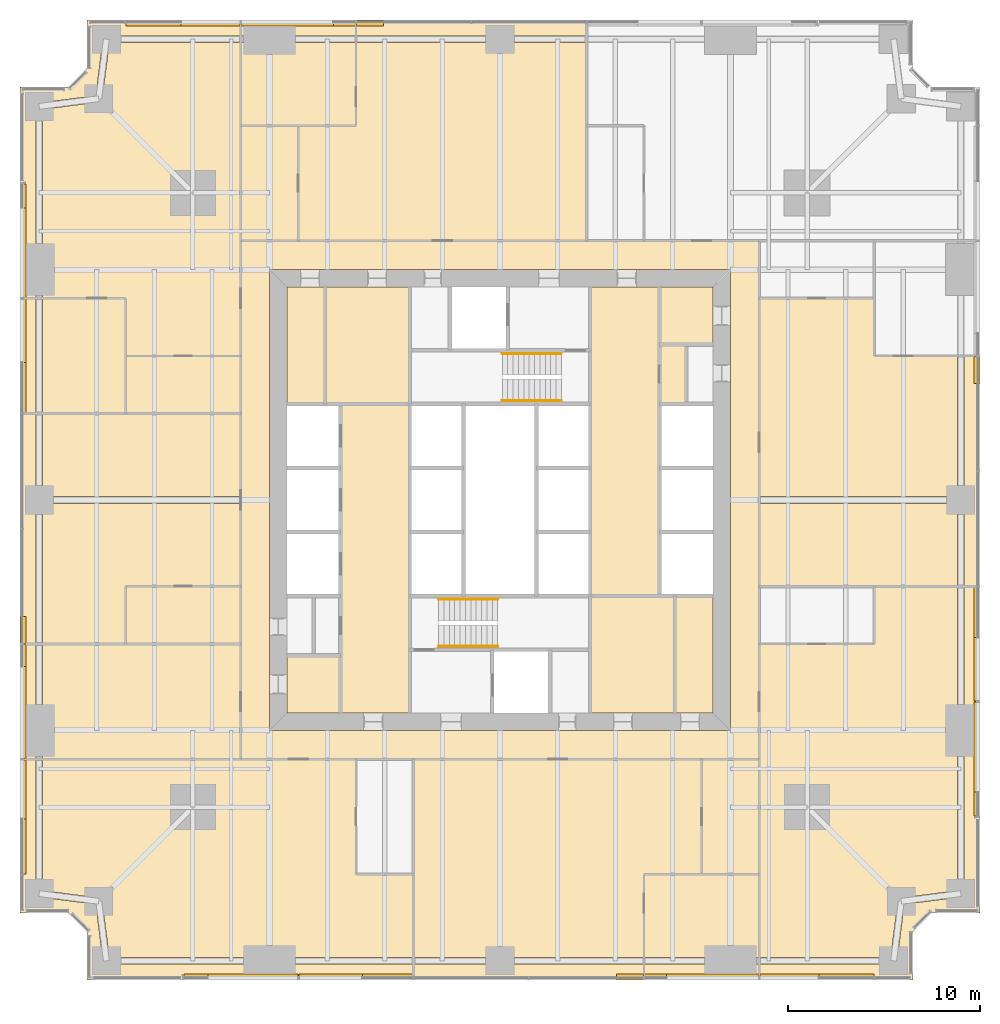
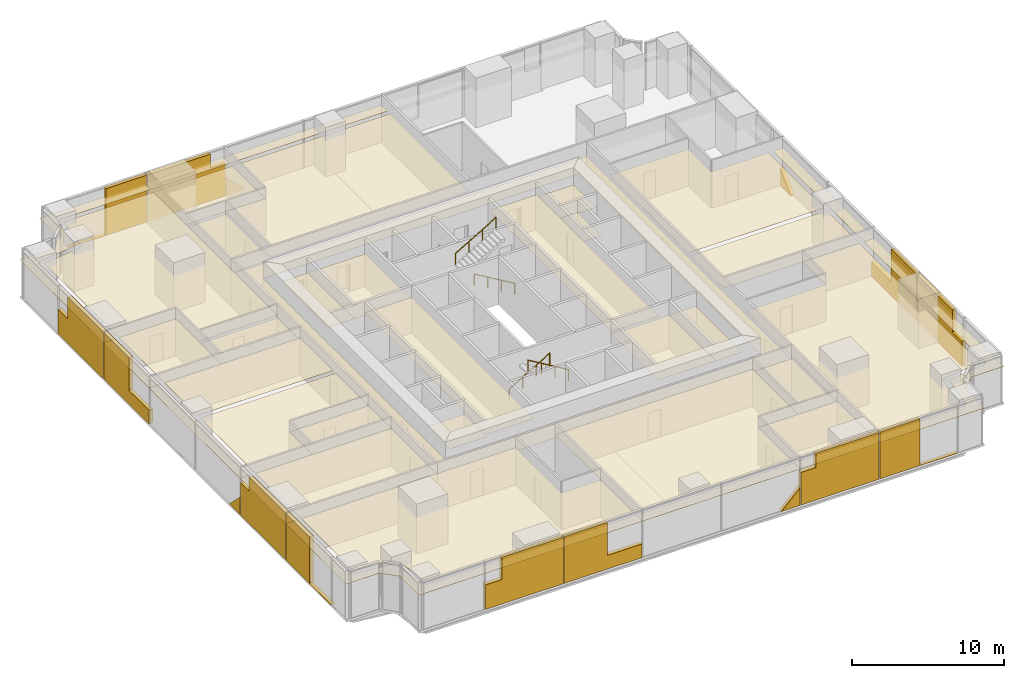
# One storey, part 12 of 15: 54 coverings, 4 railings.
"""IFC4 building model written with IfcOpenShell, lengths in metres."""

import ifcopenshell
import ifcopenshell.guid

model = None  # the IFC model being written
_history = None  # IfcOwnerHistory: only IFC2X3 demands one
_inside = {}  # id of a spatial element -> (the spatial element, [elements in it])
_under = {}  # id of a project, library or spatial element -> (it, [spatial elements below it])
_declared = {}  # id of a project -> (the project, [libraries it declares])
_typed = {}  # id of a type object -> (the type object, [elements of that type])
_made_of = {}  # id of a material, layer set ... -> (it, [elements and type objects made of it])


def new_model(schema):
    """Start an empty IFC model of exactly this schema.

    Asked for "IFC4X3", IfcOpenShell would pick the latest addendum, in which some entities
    have other attributes; the version numbers below select the first issue.
    IFC2X3 requires an IfcOwnerHistory on every rooted entity: one is made here for all.
    """
    global model, _history
    if schema == "IFC4X3":
        model = ifcopenshell.file(schema_version=(4, 3, 0, 0))
    else:
        model = ifcopenshell.file(schema=schema)
    _inside.clear()
    _under.clear()
    _declared.clear()
    _typed.clear()
    _made_of.clear()
    _history = None
    if model.schema == "IFC2X3":
        org = make("IfcOrganization", Name="unknown")
        user = make(
            "IfcPersonAndOrganization",
            ThePerson=make("IfcPerson", FamilyName="unknown"),
            TheOrganization=org,
        )
        app = make(
            "IfcApplication",
            ApplicationDeveloper=org,
            Version="unknown",
            ApplicationFullName="unknown",
            ApplicationIdentifier="unknown",
        )
        _history = make(
            "IfcOwnerHistory",
            OwningUser=user,
            OwningApplication=app,
            ChangeAction="ADDED",
            CreationDate=0,
        )
    return model


def make(cls, **values):
    """One entity of the class cls with the attributes given. An attribute that is None is left unset."""
    return model.create_entity(
        cls, **{name: value for name, value in values.items() if value is not None}
    )


def rooted(cls, **values):
    """An entity with a GlobalId (a new one), such as an element, a storey or a relation."""
    return make(cls, GlobalId=ifcopenshell.guid.new(), OwnerHistory=_history, **values)


def si_unit(unit_type, name, prefix=None):
    """IfcSIUnit, for example si_unit("LENGTHUNIT", "METRE", prefix="MILLI")."""
    return make("IfcSIUnit", UnitType=unit_type, Prefix=prefix, Name=name)


def assignment(units):
    """IfcUnitAssignment: the units of a project."""
    return None if units is None else make("IfcUnitAssignment", Units=units)


def point(xyz):
    """IfcCartesianPoint."""
    return None if xyz is None else make("IfcCartesianPoint", Coordinates=xyz)


def direction(xyz):
    """IfcDirection."""
    return None if xyz is None else make("IfcDirection", DirectionRatios=xyz)


def frame(location, z_axis=None, x_axis=None):
    """IfcAxis2Placement3D, a coordinate frame: its origin and axes. An axis left out is left unset."""
    return make(
        "IfcAxis2Placement3D",
        Location=point(location),
        Axis=direction(z_axis),
        RefDirection=direction(x_axis),
    )


def frame_2d(location, x_axis=None):
    """IfcAxis2Placement2D, a coordinate frame in the plane: its origin and x axis."""
    return make(
        "IfcAxis2Placement2D", Location=point(location), RefDirection=direction(x_axis)
    )


def origin():
    """The frame at (0, 0, 0) with its axes left unset."""
    return frame((0.0, 0.0, 0.0))


def origin_2d():
    """The frame at (0, 0) in the plane with its x axis left unset."""
    return frame_2d((0.0, 0.0))


def place(relative_to, where):
    """IfcLocalPlacement: puts the frame where relative to a parent placement (None: the world)."""
    return make(
        "IfcLocalPlacement", PlacementRelTo=relative_to, RelativePlacement=where
    )


def context(
    kind, dimensions, precision=None, world=None, true_north=None, identifier=None
):
    """IfcGeometricRepresentationContext, for example the 3D "Model" context."""
    return make(
        "IfcGeometricRepresentationContext",
        ContextIdentifier=identifier,
        ContextType=kind,
        CoordinateSpaceDimension=dimensions,
        Precision=precision,
        WorldCoordinateSystem=world,
        TrueNorth=true_north,
    )


def subcontext(parent, identifier, kind, view, scale=None):
    """IfcGeometricRepresentationSubContext, for example "Body" below "Model"."""
    return make(
        "IfcGeometricRepresentationSubContext",
        ContextIdentifier=identifier,
        ContextType=kind,
        ParentContext=parent,
        TargetScale=scale,
        TargetView=view,
    )


def project(units=None, contexts=None):
    """IfcProject with its units and contexts."""
    return rooted(
        "IfcProject",
        Name="project",
        RepresentationContexts=contexts,
        UnitsInContext=assignment(units),
    )


def spatial(cls, under=None, at=None, **own):
    """A site, building, storey or space (cls), placed at a placement, below another one or the project."""
    s = rooted(cls, ObjectPlacement=at, **own)
    if under is not None:
        _under.setdefault(under.id(), (under, []))[1].append(s)
    return s


def polyline(points):
    """IfcPolyline through the points."""
    return make("IfcPolyline", Points=[point(p) for p in points])


def profile(cls, at=None, kind="AREA", **sizes):
    """A parametric profile (cls). Its sizes go by their IFC names, for example OverallWidth=200.0."""
    return make(cls, ProfileType=kind, Position=at, **sizes)


def circle(**sizes):
    """IfcCircleProfileDef."""
    return profile("IfcCircleProfileDef", **sizes)


def outline(outer, holes=None, kind="AREA"):
    """IfcArbitraryClosedProfileDef: a profile drawn as a closed curve; with holes, ...WithVoids."""
    if holes is None:
        return make("IfcArbitraryClosedProfileDef", ProfileType=kind, OuterCurve=outer)
    return make(
        "IfcArbitraryProfileDefWithVoids",
        ProfileType=kind,
        OuterCurve=outer,
        InnerCurves=holes,
    )


def extrude(swept, where, along, depth):
    """IfcExtrudedAreaSolid: the profile swept, set in the frame where, extruded along a direction by depth."""
    return make(
        "IfcExtrudedAreaSolid",
        SweptArea=swept,
        Position=where,
        ExtrudedDirection=direction(along),
        Depth=depth,
    )


def shape(context_of_items, identifier, shape_type, items):
    """IfcShapeRepresentation: the items that make up one representation, for example the "Body"."""
    return make(
        "IfcShapeRepresentation",
        ContextOfItems=context_of_items,
        RepresentationIdentifier=identifier,
        RepresentationType=shape_type,
        Items=items,
    )


def material(Name=None, Category=None):
    """IfcMaterial."""
    return make("IfcMaterial", Name=Name, Category=Category)


def layer(
    of_material, thickness, ventilated=None, Name=None, Category=None, Priority=None
):
    """IfcMaterialLayer: one layer of a wall or slab, of a material (None: an air gap)."""
    return make(
        "IfcMaterialLayer",
        Material=of_material,
        LayerThickness=thickness,
        IsVentilated=ventilated,
        Name=Name,
        Category=Category,
        Priority=Priority,
    )


def layer_set(layers, Name=None):
    """IfcMaterialLayerSet."""
    return make("IfcMaterialLayerSet", MaterialLayers=layers, LayerSetName=Name)


def made_of(thing, what):
    """Note that an element or type object is made of a material, layer set ...; save() writes the relation."""
    if what is not None:
        _made_of.setdefault(what.id(), (what, []))[1].append(thing)
    return thing


def type_object(cls, material=None, **own):
    """A type object (cls), such as IfcWallType, which elements share."""
    return made_of(rooted(cls, **own), material)


def element(
    cls,
    number,
    at=None,
    inside=None,
    cuts=None,
    type_object=None,
    material=None,
    context=None,
    identifier="Body",
    shape_type=None,
    held_by="IfcProductDefinitionShape",
    body=None,
    shapes=None,
    **own,
):
    """One element of the class cls, such as IfcWall. Its Tag is "e" and its number.

    at: its placement. inside: the storey or other place that contains it. cuts: it is an
    opening in that element (IfcRelVoidsElement). A single representation is given by context,
    identifier, shape_type and body (its items); several are given by shapes. held_by: the class
    of the entity that holds the representations. save() writes the other relations.
    """
    e = rooted(cls, Tag="e%d" % number, ObjectPlacement=at, **own)
    if body is not None:
        shapes = [shape(context, identifier, shape_type, body)]
    if shapes is not None:
        e.Representation = make(held_by, Representations=shapes)
    if inside is not None:
        _inside.setdefault(inside.id(), (inside, []))[1].append(e)
    if cuts is not None:
        rooted(
            "IfcRelVoidsElement", RelatingBuildingElement=cuts, RelatedOpeningElement=e
        )
    if type_object is not None:
        _typed.setdefault(type_object.id(), (type_object, []))[1].append(e)
    return made_of(e, material)


def aggregate(whole, parts):
    """IfcRelAggregates: a whole, such as a stair, and the parts it consists of."""
    return rooted("IfcRelAggregates", RelatingObject=whole, RelatedObjects=parts)


def save(model, path):
    """Write the relations noted so far, then the file.

    IfcRelAggregates (storeys below a building ...), IfcRelContainedInSpatialStructure (elements
    in a storey), IfcRelDefinesByType, IfcRelAssociatesMaterial and IfcRelDeclares: one each for
    every whole, place, type object, material and project.
    """
    for whole, parts in _under.values():
        aggregate(whole, parts)
    for where, things in _inside.values():
        rooted(
            "IfcRelContainedInSpatialStructure",
            RelatedElements=things,
            RelatingStructure=where,
        )
    for kind, things in _typed.values():
        rooted("IfcRelDefinesByType", RelatedObjects=things, RelatingType=kind)
    for what, things in _made_of.values():
        rooted("IfcRelAssociatesMaterial", RelatedObjects=things, RelatingMaterial=what)
    for by, libraries in _declared.values():
        rooted("IfcRelDeclares", RelatingContext=by, RelatedDefinitions=libraries)
    model.write(path)


model = new_model("IFC4")

# Units and contexts
model_context = context("Model", 3, precision=1e-05, world=origin(), true_north=direction((0.0, 1.0)))
body_context = subcontext(model_context, "Body", "Model", "MODEL_VIEW")
ifc_project = project(units=[si_unit("LENGTHUNIT", "METRE"), si_unit("AREAUNIT", "SQUARE_METRE"), si_unit("VOLUMEUNIT", "CUBIC_METRE"), si_unit("PLANEANGLEUNIT", "RADIAN"), si_unit("MASSUNIT", "GRAM", prefix="KILO")], contexts=[model_context])

# Site, building, storey
site_placement = place(None, origin())
site = spatial("IfcSite", under=ifc_project, at=site_placement, CompositionType="ELEMENT")
building_placement = place(site_placement, origin())
building = spatial("IfcBuilding", under=site, at=building_placement, Name="Fenwick Lantern Interchange", CompositionType="ELEMENT")
storey_placement = place(building_placement, frame((0.0, 0.0, 51.0)))
storey = spatial("IfcBuildingStorey", under=building, at=storey_placement, Name="L11", CompositionType="ELEMENT", Elevation=51.0)

# Coverings
ifc_material_1 = material(Name="Mineral fibre acoustic tile on suspended grid")
ifc_layer_1 = layer(ifc_material_1, 0.02001953125)
ifc_layer_set_1 = layer_set([ifc_layer_1], Name="ACOUSTIC TILE CEILING 20")
covering_type_1 = type_object("IfcCoveringType", Name="ACOUSTIC TILE CEILING 20", PredefinedType="CEILING", material=ifc_layer_set_1)
covering_1_placement = place(storey_placement, frame((0.0, 0.0, 2.699951171875)))
element("IfcCovering", 1, at=covering_1_placement, inside=storey, type_object=covering_type_1, Name="Print and copy room ceiling", PredefinedType="CEILING", context=body_context, shape_type="SweptSolid", body=[
    extrude(outline(polyline([(34.699951171875, 33.10009765625), (33.300048828125, 33.10009765625), (33.300048828125, 30.0), (34.699951171875, 30.0), (34.699951171875, 33.10009765625)])), origin(), (0.0, 0.0, 1.0), 0.02001953125),
])
covering_2_placement = place(storey_placement, frame((0.0, 0.0, 2.89990234375)))
element("IfcCovering", 2, at=covering_2_placement, inside=storey, type_object=covering_type_1, Name="Office suite ceiling", PredefinedType="CEILING", context=body_context, shape_type="SweptSolid", body=[
    extrude(outline(polyline([(20.5, 1.17236328125), (20.5, 5.5), (17.5, 5.5), (17.5, 11.5), (1.17236328125, 11.5), (1.17236328125, 4.651611328125), (4.1220703125, 4.27099609375), (4.10009765625, 4.10009765625), (4.27099609375, 4.1220703125), (4.651611328125, 1.17236328125), (13.0, 1.17236328125), (20.5, 1.17236328125)])), origin(), (0.0, 0.0, 1.0), 0.02001953125),
])
covering_3_placement = place(storey_placement, frame((0.0, 0.0, 2.89990234375)))
element("IfcCovering", 3, at=covering_3_placement, inside=storey, type_object=covering_type_1, Name="Office suite ceiling", PredefinedType="CEILING", context=body_context, shape_type="SweptSolid", body=[
    extrude(outline(polyline([(20.5, 0.0), (20.5, 0.82763671875), (13.0, 0.82763671875), (4.5, 0.82763671875), (4.5, 1.0), (4.3291015625, 0.97802734375), (3.946044921875, 3.946044921875), (0.97802734375, 4.3291015625), (1.0, 4.5), (0.82763671875, 4.5), (0.82763671875, 11.5), (0.0, 11.5), (0.0, 3.5), (2.5, 3.5), (3.5, 2.5), (3.5, 0.0), (20.5, 0.0)])), origin(), (0.0, 0.0, 1.0), 0.02001953125),
])
covering_4_placement = place(storey_placement, frame((0.0, 0.0, 2.89990234375)))
element("IfcCovering", 4, at=covering_4_placement, inside=storey, type_object=covering_type_1, Name="Office suite ceiling", PredefinedType="CEILING", context=body_context, shape_type="SweptSolid", body=[
    extrude(outline(polyline([(20.5, 11.5), (20.5, 1.17236328125), (25.0, 1.17236328125), (32.5, 1.17236328125), (32.5, 5.5), (35.5, 5.5), (35.5, 11.5), (20.5, 11.5)])), origin(), (0.0, 0.0, 1.0), 0.02001953125),
])
covering_5_placement = place(storey_placement, frame((0.0, 0.0, 2.89990234375)))
element("IfcCovering", 5, at=covering_5_placement, inside=storey, type_object=covering_type_1, Name="Office suite ceiling", PredefinedType="CEILING", context=body_context, shape_type="SweptSolid", body=[
    extrude(outline(polyline([(20.5, 0.82763671875), (20.5, 0.0), (32.5, 0.0), (32.5, 0.82763671875), (25.0, 0.82763671875), (20.5, 0.82763671875)])), origin(), (0.0, 0.0, 1.0), 0.02001953125),
])
covering_6_placement = place(storey_placement, frame((0.0, 0.0, 2.89990234375)))
element("IfcCovering", 6, at=covering_6_placement, inside=storey, type_object=covering_type_1, Name="Meeting room ceiling", PredefinedType="CEILING", context=body_context, shape_type="SweptSolid", body=[
    extrude(outline(polyline([(32.5, 5.5), (32.5, 1.17236328125), (37.0, 1.17236328125), (38.5, 1.17236328125), (38.5, 5.5), (32.5, 5.5)])), origin(), (0.0, 0.0, 1.0), 0.02001953125),
])
covering_7_placement = place(storey_placement, frame((0.0, 0.0, 2.89990234375)))
element("IfcCovering", 7, at=covering_7_placement, inside=storey, type_object=covering_type_1, Name="Meeting room ceiling", PredefinedType="CEILING", context=body_context, shape_type="SweptSolid", body=[
    extrude(outline(polyline([(38.5, 0.0), (38.5, 0.82763671875), (37.0, 0.82763671875), (32.5, 0.82763671875), (32.5, 0.0), (38.5, 0.0)])), origin(), (0.0, 0.0, 1.0), 0.02001953125),
])
covering_8_placement = place(storey_placement, frame((0.0, 0.0, 2.89990234375)))
element("IfcCovering", 8, at=covering_8_placement, inside=storey, type_object=covering_type_1, Name="Office suite ceiling", PredefinedType="CEILING", context=body_context, shape_type="SweptSolid", body=[
    extrude(outline(polyline([(48.82763671875, 20.5), (44.5, 20.5), (44.5, 17.5), (38.5, 17.5), (38.5, 1.17236328125), (45.348388671875, 1.17236328125), (45.72900390625, 4.1220703125), (45.89990234375, 4.10009765625), (45.8779296875, 4.27099609375), (48.82763671875, 4.651611328125), (48.82763671875, 13.0), (48.82763671875, 20.5)])), origin(), (0.0, 0.0, 1.0), 0.02001953125),
])
covering_9_placement = place(storey_placement, frame((0.0, 0.0, 2.89990234375)))
element("IfcCovering", 9, at=covering_9_placement, inside=storey, type_object=covering_type_1, Name="Office suite ceiling", PredefinedType="CEILING", context=body_context, shape_type="SweptSolid", body=[
    extrude(outline(polyline([(50.0, 20.5), (49.17236328125, 20.5), (49.17236328125, 13.0), (49.17236328125, 4.5), (49.0, 4.5), (49.02197265625, 4.3291015625), (46.053955078125, 3.946044921875), (45.6708984375, 0.97802734375), (45.5, 1.0), (45.5, 0.82763671875), (38.5, 0.82763671875), (38.5, 0.0), (46.5, 0.0), (46.5, 2.5), (47.5, 3.5), (50.0, 3.5), (50.0, 20.5)])), origin(), (0.0, 0.0, 1.0), 0.02001953125),
])
covering_10_placement = place(storey_placement, frame((0.0, 0.0, 2.89990234375)))
element("IfcCovering", 10, at=covering_10_placement, inside=storey, type_object=covering_type_1, Name="Office suite ceiling", PredefinedType="CEILING", context=body_context, shape_type="SweptSolid", body=[
    extrude(outline(polyline([(38.5, 35.5), (38.5, 25.175048828125), (48.82763671875, 25.175048828125), (48.82763671875, 32.5), (44.5, 32.5), (44.5, 35.5), (38.5, 35.5)])), origin(), (0.0, 0.0, 1.0), 0.02001953125),
])
covering_11_placement = place(storey_placement, frame((0.0, 0.0, 2.89990234375)))
element("IfcCovering", 11, at=covering_11_placement, inside=storey, type_object=covering_type_1, Name="Office suite ceiling", PredefinedType="CEILING", context=body_context, shape_type="SweptSolid", body=[
    extrude(outline(polyline([(38.5, 20.5), (48.82763671875, 20.5), (48.82763671875, 24.824951171875), (38.5, 24.824951171875), (38.5, 20.5)])), origin(), (0.0, 0.0, 1.0), 0.02001953125),
])
covering_12_placement = place(storey_placement, frame((0.0, 0.0, 2.89990234375)))
element("IfcCovering", 12, at=covering_12_placement, inside=storey, type_object=covering_type_1, Name="Office suite ceiling", PredefinedType="CEILING", context=body_context, shape_type="SweptSolid", body=[
    extrude(outline(polyline([(49.17236328125, 20.5), (50.0, 20.5), (50.0, 32.5), (49.17236328125, 32.5), (49.17236328125, 25.0), (49.17236328125, 20.5)])), origin(), (0.0, 0.0, 1.0), 0.02001953125),
])
covering_13_placement = place(storey_placement, frame((0.0, 0.0, 2.89990234375)))
element("IfcCovering", 13, at=covering_13_placement, inside=storey, type_object=covering_type_1, Name="Office suite ceiling", PredefinedType="CEILING", context=body_context, shape_type="SweptSolid", body=[
    extrude(outline(polyline([(29.5, 38.5), (29.5, 48.82763671875), (25.0, 48.82763671875), (17.5, 48.82763671875), (17.5, 44.5), (14.5, 44.5), (14.5, 38.5), (29.5, 38.5)])), origin(), (0.0, 0.0, 1.0), 0.02001953125),
])
covering_14_placement = place(storey_placement, frame((0.0, 0.0, 2.89990234375)))
element("IfcCovering", 14, at=covering_14_placement, inside=storey, type_object=covering_type_1, Name="Office suite ceiling", PredefinedType="CEILING", context=body_context, shape_type="SweptSolid", body=[
    extrude(outline(polyline([(29.5, 49.17236328125), (29.5, 50.0), (17.5, 50.0), (17.5, 49.17236328125), (25.0, 49.17236328125), (29.5, 49.17236328125)])), origin(), (0.0, 0.0, 1.0), 0.02001953125),
])
covering_15_placement = place(storey_placement, frame((0.0, 0.0, 2.89990234375)))
element("IfcCovering", 15, at=covering_15_placement, inside=storey, type_object=covering_type_1, Name="Meeting room ceiling", PredefinedType="CEILING", context=body_context, shape_type="SweptSolid", body=[
    extrude(outline(polyline([(17.5, 44.5), (17.5, 48.82763671875), (13.0, 48.82763671875), (11.5, 48.82763671875), (11.5, 44.5), (17.5, 44.5)])), origin(), (0.0, 0.0, 1.0), 0.02001953125),
])
covering_16_placement = place(storey_placement, frame((0.0, 0.0, 2.89990234375)))
element("IfcCovering", 16, at=covering_16_placement, inside=storey, type_object=covering_type_1, Name="Meeting room ceiling", PredefinedType="CEILING", context=body_context, shape_type="SweptSolid", body=[
    extrude(outline(polyline([(11.5, 50.0), (11.5, 49.17236328125), (13.0, 49.17236328125), (17.5, 49.17236328125), (17.5, 50.0), (11.5, 50.0)])), origin(), (0.0, 0.0, 1.0), 0.02001953125),
])
covering_17_placement = place(storey_placement, frame((0.0, 0.0, 2.89990234375)))
element("IfcCovering", 17, at=covering_17_placement, inside=storey, type_object=covering_type_1, Name="Office suite ceiling", PredefinedType="CEILING", context=body_context, shape_type="SweptSolid", body=[
    extrude(outline(polyline([(11.5, 32.5), (11.5, 48.82763671875), (4.651611328125, 48.82763671875), (4.27099609375, 45.8779296875), (4.10009765625, 45.89990234375), (4.1220703125, 45.72900390625), (1.17236328125, 45.348388671875), (1.17236328125, 37.0), (1.17236328125, 35.5), (5.5, 35.5), (5.5, 32.5), (11.5, 32.5)])), origin(), (0.0, 0.0, 1.0), 0.02001953125),
])
covering_18_placement = place(storey_placement, frame((0.0, 0.0, 2.89990234375)))
element("IfcCovering", 18, at=covering_18_placement, inside=storey, type_object=covering_type_1, Name="Office suite ceiling", PredefinedType="CEILING", context=body_context, shape_type="SweptSolid", body=[
    extrude(outline(polyline([(3.5, 47.5), (2.5, 46.5), (0.0, 46.5), (0.0, 35.5), (0.82763671875, 35.5), (0.82763671875, 37.0), (0.82763671875, 45.5), (1.0, 45.5), (0.97802734375, 45.6708984375), (3.946044921875, 46.053955078125), (4.3291015625, 49.02197265625), (4.5, 49.0), (4.5, 49.17236328125), (11.5, 49.17236328125), (11.5, 50.0), (3.5, 50.0), (3.5, 47.5)])), origin(), (0.0, 0.0, 1.0), 0.02001953125),
])
covering_19_placement = place(storey_placement, frame((0.0, 0.0, 2.89990234375)))
element("IfcCovering", 19, at=covering_19_placement, inside=storey, type_object=covering_type_1, Name="Meeting room ceiling", PredefinedType="CEILING", context=body_context, shape_type="SweptSolid", body=[
    extrude(outline(polyline([(5.5, 35.5), (1.17236328125, 35.5), (1.17236328125, 29.5), (5.5, 29.5), (5.5, 35.5)])), origin(), (0.0, 0.0, 1.0), 0.02001953125),
])
covering_20_placement = place(storey_placement, frame((0.0, 0.0, 2.89990234375)))
element("IfcCovering", 20, at=covering_20_placement, inside=storey, type_object=covering_type_1, Name="Meeting room ceiling", PredefinedType="CEILING", context=body_context, shape_type="SweptSolid", body=[
    extrude(outline(polyline([(0.0, 29.5), (0.82763671875, 29.5), (0.82763671875, 35.5), (0.0, 35.5), (0.0, 29.5)])), origin(), (0.0, 0.0, 1.0), 0.02001953125),
])
covering_21_placement = place(storey_placement, frame((0.0, 0.0, 2.89990234375)))
element("IfcCovering", 21, at=covering_21_placement, inside=storey, type_object=covering_type_1, Name="Office suite ceiling", PredefinedType="CEILING", context=body_context, shape_type="SweptSolid", body=[
    extrude(outline(polyline([(11.5, 20.5), (11.5, 24.824951171875), (1.17236328125, 24.824951171875), (1.17236328125, 17.5), (5.5, 17.5), (5.5, 20.5), (11.5, 20.5)])), origin(), (0.0, 0.0, 1.0), 0.02001953125),
])
covering_22_placement = place(storey_placement, frame((0.0, 0.0, 2.89990234375)))
element("IfcCovering", 22, at=covering_22_placement, inside=storey, type_object=covering_type_1, Name="Office suite ceiling", PredefinedType="CEILING", context=body_context, shape_type="SweptSolid", body=[
    extrude(outline(polyline([(11.5, 29.5), (1.17236328125, 29.5), (1.17236328125, 25.175048828125), (11.5, 25.175048828125), (11.5, 29.5)])), origin(), (0.0, 0.0, 1.0), 0.02001953125),
])
covering_23_placement = place(storey_placement, frame((0.0, 0.0, 2.89990234375)))
element("IfcCovering", 23, at=covering_23_placement, inside=storey, type_object=covering_type_1, Name="Office suite ceiling", PredefinedType="CEILING", context=body_context, shape_type="SweptSolid", body=[
    extrude(outline(polyline([(0.82763671875, 29.5), (0.0, 29.5), (0.0, 17.5), (0.82763671875, 17.5), (0.82763671875, 25.0), (0.82763671875, 29.5)])), origin(), (0.0, 0.0, 1.0), 0.02001953125),
])
covering_24_placement = place(storey_placement, frame((0.0, 0.0, 2.89990234375)))
element("IfcCovering", 24, at=covering_24_placement, inside=storey, type_object=covering_type_1, Name="Office ceiling", PredefinedType="CEILING", context=body_context, shape_type="SweptSolid", body=[
    extrude(outline(polyline([(5.5, 20.5), (5.5, 17.5), (11.5, 17.5), (11.5, 20.5), (5.5, 20.5)])), origin(), (0.0, 0.0, 1.0), 0.02001953125),
])
covering_25_placement = place(storey_placement, frame((0.0, 0.0, 2.89990234375)))
element("IfcCovering", 25, at=covering_25_placement, inside=storey, type_object=covering_type_1, Name="Office suite ceiling", PredefinedType="CEILING", context=body_context, shape_type="SweptSolid", body=[
    extrude(outline(polyline([(11.5, 17.5), (1.17236328125, 17.5), (1.17236328125, 13.0), (1.17236328125, 11.5), (11.5, 11.5), (11.5, 17.5)])), origin(), (0.0, 0.0, 1.0), 0.02001953125),
])
covering_26_placement = place(storey_placement, frame((0.0, 0.0, 2.89990234375)))
element("IfcCovering", 26, at=covering_26_placement, inside=storey, type_object=covering_type_1, Name="Office suite ceiling", PredefinedType="CEILING", context=body_context, shape_type="SweptSolid", body=[
    extrude(outline(polyline([(0.0, 17.5), (0.0, 11.5), (0.82763671875, 11.5), (0.82763671875, 13.0), (0.82763671875, 17.5), (0.0, 17.5)])), origin(), (0.0, 0.0, 1.0), 0.02001953125),
])
ifc_material_2 = material(Name="Granite cladding, warm grey flamed finish, on aluminium carrier frame", Category="masonry")
ifc_layer_2 = layer(ifc_material_2, 0.300048828125)
ifc_layer_set_2 = layer_set([ifc_layer_2], Name="BRACE CASING PANEL 300")
covering_type_2 = type_object("IfcCoveringType", Name="BRACE CASING PANEL 300", PredefinedType="CLADDING", material=ifc_layer_set_2)
covering_27_placement = place(storey_placement, frame((3.60009765625, 0.10009765625, 0.0), z_axis=(0.0, 0.0, 1.0), x_axis=(1.0, 0.0, 0.0)))
element("IfcCovering", 27, at=covering_27_placement, inside=storey, type_object=covering_type_2, Name="Brace casing 01 bay 01a", PredefinedType="CLADDING", context=body_context, shape_type="SweptSolid", body=[
    extrude(outline(polyline([(4.9326171875, 0.0), (10.867431640625, 0.0), (10.867431640625, 3.75), (6.1875, 3.75), (6.1875, 1.972900390625), (4.9326171875, 1.972900390625), (4.9326171875, 0.0)])), frame((0.0, 0.2001953125, 0.0), z_axis=(0.0, -1.0, 0.0), x_axis=(1.0, 0.0, 0.0)), (0.0, 0.0, 1.0), 0.300048828125),
])
covering_28_placement = place(storey_placement, frame((3.60009765625, 0.10009765625, 0.0), z_axis=(0.0, 0.0, 1.0), x_axis=(1.0, 0.0, 0.0)))
element("IfcCovering", 28, at=covering_28_placement, inside=storey, type_object=covering_type_2, Name="Brace casing 01 bay 02a", PredefinedType="CLADDING", context=body_context, shape_type="SweptSolid", body=[
    extrude(outline(polyline([(10.9326171875, 0.0), (16.867431640625, 0.0), (16.867431640625, 1.10888671875), (14.23046875, 1.10888671875), (14.23046875, 3.75), (10.9326171875, 3.75), (10.9326171875, 0.0)])), frame((0.0, 0.2001953125, 0.0), z_axis=(0.0, -1.0, 0.0), x_axis=(1.0, 0.0, 0.0)), (0.0, 0.0, 1.0), 0.300048828125),
])
covering_29_placement = place(storey_placement, frame((3.60009765625, 0.10009765625, 0.0), z_axis=(0.0, 0.0, 1.0), x_axis=(1.0, 0.0, 0.0)))
element("IfcCovering", 29, at=covering_29_placement, inside=storey, type_object=covering_type_2, Name="Brace casing 01 bay 04a", PredefinedType="CLADDING", context=body_context, shape_type="SweptSolid", body=[
    extrude(outline(polyline([(27.46044921875, 0.0), (28.867431640625, 0.0), (28.867431640625, 1.406982421875), (27.46044921875, 0.0)])), frame((0.0, 0.2001953125, 0.0), z_axis=(0.0, -1.0, 0.0), x_axis=(1.0, 0.0, 0.0)), (0.0, 0.0, 1.0), 0.300048828125),
])
covering_30_placement = place(storey_placement, frame((3.60009765625, 0.10009765625, 0.0), z_axis=(0.0, 0.0, 1.0), x_axis=(1.0, 0.0, 0.0)))
element("IfcCovering", 30, at=covering_30_placement, inside=storey, type_object=covering_type_2, Name="Brace casing 01 bay 05a", PredefinedType="CLADDING", context=body_context, shape_type="SweptSolid", body=[
    extrude(outline(polyline([(28.9326171875, 0.0), (34.867431640625, 0.0), (34.867431640625, 3.75), (30.072509765625, 3.75), (30.072509765625, 2.612060546875), (28.9326171875, 2.612060546875), (28.9326171875, 0.0)])), frame((0.0, 0.2001953125, 0.0), z_axis=(0.0, -1.0, 0.0), x_axis=(1.0, 0.0, 0.0)), (0.0, 0.0, 1.0), 0.300048828125),
])
covering_31_placement = place(storey_placement, frame((3.60009765625, 0.10009765625, 0.0), z_axis=(0.0, 0.0, 1.0), x_axis=(1.0, 0.0, 0.0)))
element("IfcCovering", 31, at=covering_31_placement, inside=storey, type_object=covering_type_2, Name="Brace casing 01 bay 06a", PredefinedType="CLADDING", context=body_context, shape_type="SweptSolid", body=[
    extrude(outline(polyline([(34.9326171875, 0.0), (40.867431640625, 0.0), (40.867431640625, 0.006103515625), (38.005615234375, 0.006103515625), (38.005615234375, 3.75), (34.9326171875, 3.75), (34.9326171875, 0.0)])), frame((0.0, 0.2001953125, 0.0), z_axis=(0.0, -1.0, 0.0), x_axis=(1.0, 0.0, 0.0)), (0.0, 0.0, 1.0), 0.300048828125),
])
covering_32_placement = place(storey_placement, frame((49.89990234375, 3.60009765625, 0.0), z_axis=(0.0, 0.0, 1.0), x_axis=(0.0, 1.0, 0.0)))
element("IfcCovering", 32, at=covering_32_placement, inside=storey, type_object=covering_type_2, Name="Brace casing 05 bay 01a", PredefinedType="CLADDING", context=body_context, shape_type="SweptSolid", body=[
    extrude(outline(polyline([(4.9326171875, 0.0), (10.867431640625, 0.0), (10.867431640625, 3.75), (6.1875, 3.75), (6.1875, 1.972900390625), (4.9326171875, 1.972900390625), (4.9326171875, 0.0)])), frame((0.0, 0.2001953125, 0.0), z_axis=(0.0, -1.0, 0.0), x_axis=(1.0, 0.0, 0.0)), (0.0, 0.0, 1.0), 0.300048828125),
])
covering_33_placement = place(storey_placement, frame((49.89990234375, 3.60009765625, 0.0), z_axis=(0.0, 0.0, 1.0), x_axis=(0.0, 1.0, 0.0)))
element("IfcCovering", 33, at=covering_33_placement, inside=storey, type_object=covering_type_2, Name="Brace casing 05 bay 02a", PredefinedType="CLADDING", context=body_context, shape_type="SweptSolid", body=[
    extrude(outline(polyline([(10.9326171875, 0.0), (16.867431640625, 0.0), (16.867431640625, 1.10888671875), (14.23046875, 1.10888671875), (14.23046875, 3.75), (10.9326171875, 3.75), (10.9326171875, 0.0)])), frame((0.0, 0.2001953125, 0.0), z_axis=(0.0, -1.0, 0.0), x_axis=(1.0, 0.0, 0.0)), (0.0, 0.0, 1.0), 0.300048828125),
])
for number, where, z_axis, x_axis, name in (
    (34, (49.89990234375, 3.60009765625, 0.0), (0.0, 0.0, 1.0), (0.0, 1.0, 0.0), "Brace casing 05 bay 04a"),
    (35, (46.39990234375, 49.89990234375, 0.0), (0.0, 0.0, 1.0), (-1.0, 0.0, 0.0), "Brace casing 09 bay 04a"),
):
    element("IfcCovering", number, at=place(storey_placement, frame(where, z_axis=z_axis, x_axis=x_axis)), inside=storey, type_object=covering_type_2, Name=name, PredefinedType="CLADDING", context=body_context, shape_type="SweptSolid", body=[
        extrude(outline(polyline([(27.46044921875, 0.0), (28.867431640625, 0.0), (28.867431640625, 1.406982421875), (27.46044921875, 0.0)])), frame((0.0, 0.2001953125, 0.0), z_axis=(0.0, -1.0, 0.0), x_axis=(1.0, 0.0, 0.0)), (0.0, 0.0, 1.0), 0.300048828125),
    ])
covering_34_placement = place(storey_placement, frame((46.39990234375, 49.89990234375, 0.0), z_axis=(0.0, 0.0, 1.0), x_axis=(-1.0, 0.0, 0.0)))
element("IfcCovering", 36, at=covering_34_placement, inside=storey, type_object=covering_type_2, Name="Brace casing 09 bay 05a", PredefinedType="CLADDING", context=body_context, shape_type="SweptSolid", body=[
    extrude(outline(polyline([(28.9326171875, 0.0), (34.867431640625, 0.0), (34.867431640625, 3.75), (30.072509765625, 3.75), (30.072509765625, 2.612060546875), (28.9326171875, 2.612060546875), (28.9326171875, 0.0)])), frame((0.0, 0.2001953125, 0.0), z_axis=(0.0, -1.0, 0.0), x_axis=(1.0, 0.0, 0.0)), (0.0, 0.0, 1.0), 0.300048828125),
])
covering_35_placement = place(storey_placement, frame((46.39990234375, 49.89990234375, 0.0), z_axis=(0.0, 0.0, 1.0), x_axis=(-1.0, 0.0, 0.0)))
element("IfcCovering", 37, at=covering_35_placement, inside=storey, type_object=covering_type_2, Name="Brace casing 09 bay 06a", PredefinedType="CLADDING", context=body_context, shape_type="SweptSolid", body=[
    extrude(outline(polyline([(34.9326171875, 0.0), (40.867431640625, 0.0), (40.867431640625, 0.006103515625), (38.005615234375, 0.006103515625), (38.005615234375, 3.75), (34.9326171875, 3.75), (34.9326171875, 0.0)])), frame((0.0, 0.2001953125, 0.0), z_axis=(0.0, -1.0, 0.0), x_axis=(1.0, 0.0, 0.0)), (0.0, 0.0, 1.0), 0.300048828125),
])
covering_36_placement = place(storey_placement, frame((0.10009765625, 46.39990234375, 0.0), z_axis=(0.0, 0.0, 1.0), x_axis=(0.0, -1.0, 0.0)))
element("IfcCovering", 38, at=covering_36_placement, inside=storey, type_object=covering_type_2, Name="Brace casing 13 bay 01a", PredefinedType="CLADDING", context=body_context, shape_type="SweptSolid", body=[
    extrude(outline(polyline([(4.9326171875, 0.0), (10.867431640625, 0.0), (10.867431640625, 3.75), (6.1875, 3.75), (6.1875, 1.972900390625), (4.9326171875, 1.972900390625), (4.9326171875, 0.0)])), frame((0.0, 0.2001953125, 0.0), z_axis=(0.0, -1.0, 0.0), x_axis=(1.0, 0.0, 0.0)), (0.0, 0.0, 1.0), 0.300048828125),
])
covering_37_placement = place(storey_placement, frame((0.10009765625, 46.39990234375, 0.0), z_axis=(0.0, 0.0, 1.0), x_axis=(0.0, -1.0, 0.0)))
element("IfcCovering", 39, at=covering_37_placement, inside=storey, type_object=covering_type_2, Name="Brace casing 13 bay 02a", PredefinedType="CLADDING", context=body_context, shape_type="SweptSolid", body=[
    extrude(outline(polyline([(10.9326171875, 0.0), (16.867431640625, 0.0), (16.867431640625, 1.10888671875), (14.23046875, 1.10888671875), (14.23046875, 3.75), (10.9326171875, 3.75), (10.9326171875, 0.0)])), frame((0.0, 0.2001953125, 0.0), z_axis=(0.0, -1.0, 0.0), x_axis=(1.0, 0.0, 0.0)), (0.0, 0.0, 1.0), 0.300048828125),
])
covering_38_placement = place(storey_placement, frame((0.10009765625, 46.39990234375, 0.0), z_axis=(0.0, 0.0, 1.0), x_axis=(0.0, -1.0, 0.0)))
element("IfcCovering", 40, at=covering_38_placement, inside=storey, type_object=covering_type_2, Name="Brace casing 13 bay 04a", PredefinedType="CLADDING", context=body_context, shape_type="SweptSolid", body=[
    extrude(outline(polyline([(27.46044921875, 0.0), (28.867431640625, 0.0), (28.867431640625, 1.406982421875), (27.46044921875, 0.0)])), frame((0.0, 0.2001953125, 0.0), z_axis=(0.0, -1.0, 0.0), x_axis=(1.0, 0.0, 0.0)), (0.0, 0.0, 1.0), 0.300048828125),
])
covering_39_placement = place(storey_placement, frame((0.10009765625, 46.39990234375, 0.0), z_axis=(0.0, 0.0, 1.0), x_axis=(0.0, -1.0, 0.0)))
element("IfcCovering", 41, at=covering_39_placement, inside=storey, type_object=covering_type_2, Name="Brace casing 13 bay 05a", PredefinedType="CLADDING", context=body_context, shape_type="SweptSolid", body=[
    extrude(outline(polyline([(28.9326171875, 0.0), (34.867431640625, 0.0), (34.867431640625, 3.75), (30.072509765625, 3.75), (30.072509765625, 2.612060546875), (28.9326171875, 2.612060546875), (28.9326171875, 0.0)])), frame((0.0, 0.2001953125, 0.0), z_axis=(0.0, -1.0, 0.0), x_axis=(1.0, 0.0, 0.0)), (0.0, 0.0, 1.0), 0.300048828125),
])
covering_40_placement = place(storey_placement, frame((0.10009765625, 46.39990234375, 0.0), z_axis=(0.0, 0.0, 1.0), x_axis=(0.0, -1.0, 0.0)))
element("IfcCovering", 42, at=covering_40_placement, inside=storey, type_object=covering_type_2, Name="Brace casing 13 bay 06a", PredefinedType="CLADDING", context=body_context, shape_type="SweptSolid", body=[
    extrude(outline(polyline([(34.9326171875, 0.0), (40.867431640625, 0.0), (40.867431640625, 0.006103515625), (38.005615234375, 0.006103515625), (38.005615234375, 3.75), (34.9326171875, 3.75), (34.9326171875, 0.0)])), frame((0.0, 0.2001953125, 0.0), z_axis=(0.0, -1.0, 0.0), x_axis=(1.0, 0.0, 0.0)), (0.0, 0.0, 1.0), 0.300048828125),
])

# Railings
ifc_material_3 = material(Name="Stainless steel handrail", Category="steel")
railing_type = type_object("IfcRailingType", Name="HANDRAIL 900", PredefinedType="HANDRAIL", material=ifc_material_3)
railing_1_placement = place(storey_placement, frame((21.800048828125, 19.825927734375, 0.166748046875)))
element("IfcRailing", 43, at=railing_1_placement, inside=storey, type_object=railing_type, Name="L11/STAIR/ST1/HR1", PredefinedType="HANDRAIL", context=body_context, shape_type="SweptSolid", body=[
    extrude(circle(Radius=0.02392578125, at=origin_2d()), frame((0.0, 0.0, 0.8759765625), z_axis=(0.859290745958, 0.0, 0.51148745235), x_axis=(0.0, 1.0, 0.0)), (0.0, 0.0, 1.0), 3.584228515625),
    extrude(circle(Radius=0.02099609375, at=origin_2d()), origin(), (0.0, 0.0, 1.0), 0.851806640625),
    extrude(circle(Radius=0.02099609375, at=origin_2d()), frame((1.026611328125, 0.0, 0.611083984375)), (0.0, 0.0, 1.0), 0.851806640625),
    extrude(circle(Radius=0.02099609375, at=origin_2d()), frame((2.05322265625, 0.0, 1.22216796875)), (0.0, 0.0, 1.0), 0.851806640625),
    extrude(circle(Radius=0.02099609375, at=origin_2d()), frame((3.079833984375, 0.0, 1.833251953125)), (0.0, 0.0, 1.0), 0.851806640625),
])
for number, where, name in (
    (44, (24.8798828125, 17.3740234375, 2.166748046875), "L11/STAIR/ST1/HR2"),
    (45, (28.199951171875, 30.174072265625, 0.166748046875), "L11/STAIR/ST2/HR1"),
):
    element("IfcRailing", number, at=place(storey_placement, frame(where)), inside=storey, type_object=railing_type, Name=name, PredefinedType="HANDRAIL", context=body_context, shape_type="SweptSolid", body=[
        extrude(circle(Radius=0.02392578125, at=origin_2d()), frame((0.0, 0.0, 0.8759765625), z_axis=(-0.859290745958, 0.0, 0.51148745235), x_axis=(0.0, -1.0, 0.0)), (0.0, 0.0, 1.0), 3.584228515625),
        extrude(circle(Radius=0.02099609375, at=origin_2d()), origin(), (0.0, 0.0, 1.0), 0.851806640625),
        extrude(circle(Radius=0.02099609375, at=origin_2d()), frame((-1.026611328125, 0.0, 0.611083984375)), (0.0, 0.0, 1.0), 0.851806640625),
        extrude(circle(Radius=0.02099609375, at=origin_2d()), frame((-2.05322265625, 0.0, 1.22216796875)), (0.0, 0.0, 1.0), 0.851806640625),
        extrude(circle(Radius=0.02099609375, at=origin_2d()), frame((-3.079833984375, 0.0, 1.833251953125)), (0.0, 0.0, 1.0), 0.851806640625),
    ])
railing_2_placement = place(storey_placement, frame((25.1201171875, 32.6259765625, 2.166748046875)))
element("IfcRailing", 46, at=railing_2_placement, inside=storey, type_object=railing_type, Name="L11/STAIR/ST2/HR2", PredefinedType="HANDRAIL", context=body_context, shape_type="SweptSolid", body=[
    extrude(circle(Radius=0.02392578125, at=origin_2d()), frame((0.0, 0.0, 0.8759765625), z_axis=(0.859290745958, 0.0, 0.51148745235), x_axis=(0.0, 1.0, 0.0)), (0.0, 0.0, 1.0), 3.584228515625),
    extrude(circle(Radius=0.02099609375, at=origin_2d()), origin(), (0.0, 0.0, 1.0), 0.851806640625),
    extrude(circle(Radius=0.02099609375, at=origin_2d()), frame((1.026611328125, 0.0, 0.611083984375)), (0.0, 0.0, 1.0), 0.851806640625),
    extrude(circle(Radius=0.02099609375, at=origin_2d()), frame((2.05322265625, 0.0, 1.22216796875)), (0.0, 0.0, 1.0), 0.851806640625),
    extrude(circle(Radius=0.02099609375, at=origin_2d()), frame((3.079833984375, 0.0, 1.833251953125)), (0.0, 0.0, 1.0), 0.851806640625),
])

# Coverings
ifc_material_4 = material(Name="Moisture resistant gypsum board on suspended frame, painted")
ifc_layer_3 = layer(ifc_material_4, 0.014892578125)
ifc_layer_set_3 = layer_set([ifc_layer_3], Name="MOISTURE RESISTANT CEILING 15")
covering_type_3 = type_object("IfcCoveringType", Name="MOISTURE RESISTANT CEILING 15", PredefinedType="CEILING", material=ifc_layer_set_3)
covering_41_placement = place(storey_placement, frame((0.0, 0.0, 2.60009765625)))
element("IfcCovering", 47, at=covering_41_placement, inside=storey, type_object=covering_type_3, Name="Women's WC ceiling", PredefinedType="CEILING", context=body_context, shape_type="SweptSolid", body=[
    extrude(outline(polyline([(29.699951171875, 13.89990234375), (34.10009765625, 13.89990234375), (34.10009765625, 20.0), (29.699951171875, 20.0), (29.699951171875, 13.89990234375)])), origin(), (0.0, 0.0, 1.0), 0.014892578125),
])
covering_42_placement = place(storey_placement, frame((0.0, 0.0, 2.60009765625)))
element("IfcCovering", 48, at=covering_42_placement, inside=storey, type_object=covering_type_3, Name="Men's WC ceiling", PredefinedType="CEILING", context=body_context, shape_type="SweptSolid", body=[
    extrude(outline(polyline([(34.10009765625, 13.89990234375), (36.10009765625, 13.89990234375), (36.10009765625, 20.0), (34.10009765625, 20.0), (34.10009765625, 13.89990234375)])), origin(), (0.0, 0.0, 1.0), 0.014892578125),
])
covering_43_placement = place(storey_placement, frame((0.0, 0.0, 2.60009765625)))
element("IfcCovering", 49, at=covering_43_placement, inside=storey, type_object=covering_type_3, Name="Accessible WC ceiling", PredefinedType="CEILING", context=body_context, shape_type="SweptSolid", body=[
    extrude(outline(polyline([(13.89990234375, 13.89990234375), (16.699951171875, 13.89990234375), (16.699951171875, 16.89990234375), (13.89990234375, 16.89990234375), (13.89990234375, 13.89990234375)])), origin(), (0.0, 0.0, 1.0), 0.014892578125),
])
covering_44_placement = place(storey_placement, frame((0.0, 0.0, 2.60009765625)))
element("IfcCovering", 50, at=covering_44_placement, inside=storey, type_object=covering_type_3, Name="Women's WC ceiling", PredefinedType="CEILING", context=body_context, shape_type="SweptSolid", body=[
    extrude(outline(polyline([(20.300048828125, 36.10009765625), (15.89990234375, 36.10009765625), (15.89990234375, 30.0), (20.300048828125, 30.0), (20.300048828125, 36.10009765625)])), origin(), (0.0, 0.0, 1.0), 0.014892578125),
])
covering_45_placement = place(storey_placement, frame((0.0, 0.0, 2.60009765625)))
element("IfcCovering", 51, at=covering_45_placement, inside=storey, type_object=covering_type_3, Name="Men's WC ceiling", PredefinedType="CEILING", context=body_context, shape_type="SweptSolid", body=[
    extrude(outline(polyline([(15.89990234375, 36.10009765625), (13.89990234375, 36.10009765625), (13.89990234375, 30.0), (15.89990234375, 30.0), (15.89990234375, 36.10009765625)])), origin(), (0.0, 0.0, 1.0), 0.014892578125),
])
covering_46_placement = place(storey_placement, frame((0.0, 0.0, 2.60009765625)))
element("IfcCovering", 52, at=covering_46_placement, inside=storey, type_object=covering_type_3, Name="Accessible WC ceiling", PredefinedType="CEILING", context=body_context, shape_type="SweptSolid", body=[
    extrude(outline(polyline([(36.10009765625, 36.10009765625), (33.300048828125, 36.10009765625), (33.300048828125, 33.10009765625), (36.10009765625, 33.10009765625), (36.10009765625, 36.10009765625)])), origin(), (0.0, 0.0, 1.0), 0.014892578125),
])
covering_47_placement = place(storey_placement, frame((0.0, 0.0, 2.699951171875)))
element("IfcCovering", 53, at=covering_47_placement, inside=storey, type_object=covering_type_3, Name="Pantry ceiling", PredefinedType="CEILING", context=body_context, shape_type="SweptSolid", body=[
    extrude(outline(polyline([(35.5, 5.5), (38.5, 5.5), (38.5, 11.5), (35.5, 11.5), (35.5, 5.5)])), origin(), (0.0, 0.0, 1.0), 0.01513671875),
])
covering_48_placement = place(storey_placement, frame((0.0, 0.0, 2.699951171875)))
element("IfcCovering", 54, at=covering_48_placement, inside=storey, type_object=covering_type_3, Name="Pantry ceiling", PredefinedType="CEILING", context=body_context, shape_type="SweptSolid", body=[
    extrude(outline(polyline([(14.5, 44.5), (11.5, 44.5), (11.5, 38.5), (14.5, 38.5), (14.5, 44.5)])), origin(), (0.0, 0.0, 1.0), 0.01513671875),
])
covering_49_placement = place(storey_placement, frame((0.0, 0.0, 2.699951171875)))
element("IfcCovering", 55, at=covering_49_placement, inside=storey, type_object=covering_type_3, Name="Pantry ceiling", PredefinedType="CEILING", context=body_context, shape_type="SweptSolid", body=[
    extrude(outline(polyline([(5.5, 32.5), (5.5, 29.5), (11.5, 29.5), (11.5, 32.5), (5.5, 32.5)])), origin(), (0.0, 0.0, 1.0), 0.01513671875),
])
ifc_material_5 = material(Name="Gypsum plasterboard on suspended frame, painted")
ifc_layer_4 = layer(ifc_material_5, 0.014892578125)
ifc_layer_set_4 = layer_set([ifc_layer_4], Name="PLASTERBOARD CEILING 15")
covering_type_4 = type_object("IfcCoveringType", Name="PLASTERBOARD CEILING 15", PredefinedType="CEILING", material=ifc_layer_set_4)
covering_50_placement = place(storey_placement, frame((0.0, 0.0, 2.800048828125)))
element("IfcCovering", 56, at=covering_50_placement, inside=storey, type_object=covering_type_4, Name="Lift lobby ceiling", PredefinedType="CEILING", context=body_context, shape_type="SweptSolid", body=[
    extrude(outline(polyline([(16.699951171875, 13.89990234375), (20.300048828125, 13.89990234375), (20.300048828125, 30.0), (16.699951171875, 30.0), (16.699951171875, 13.89990234375)])), origin(), (0.0, 0.0, 1.0), 0.014892578125),
])
covering_51_placement = place(storey_placement, frame((0.0, 0.0, 2.800048828125)))
element("IfcCovering", 57, at=covering_51_placement, inside=storey, type_object=covering_type_4, Name="Lift lobby ceiling", PredefinedType="CEILING", context=body_context, shape_type="SweptSolid", body=[
    extrude(outline(polyline([(33.300048828125, 36.10009765625), (29.699951171875, 36.10009765625), (29.699951171875, 20.0), (33.300048828125, 20.0), (33.300048828125, 36.10009765625)])), origin(), (0.0, 0.0, 1.0), 0.014892578125),
])
covering_52_placement = place(storey_placement, frame((0.0, 0.0, 2.60009765625)))
element("IfcCovering", 58, at=covering_52_placement, inside=storey, type_object=covering_type_4, Name="Corridor ceiling", PredefinedType="CEILING", context=body_context, shape_type="SweptSolid", body=[
    extrude(outline(polyline([(11.5, 38.5), (11.5, 11.5), (38.5, 11.5), (38.5, 38.5), (11.5, 38.5)]), holes=[polyline([(37.0, 13.0), (13.0, 13.0), (13.0, 37.0), (37.0, 37.0), (37.0, 13.0)])]), origin(), (0.0, 0.0, 1.0), 0.014892578125),
])

save(model, "model.ifc")
